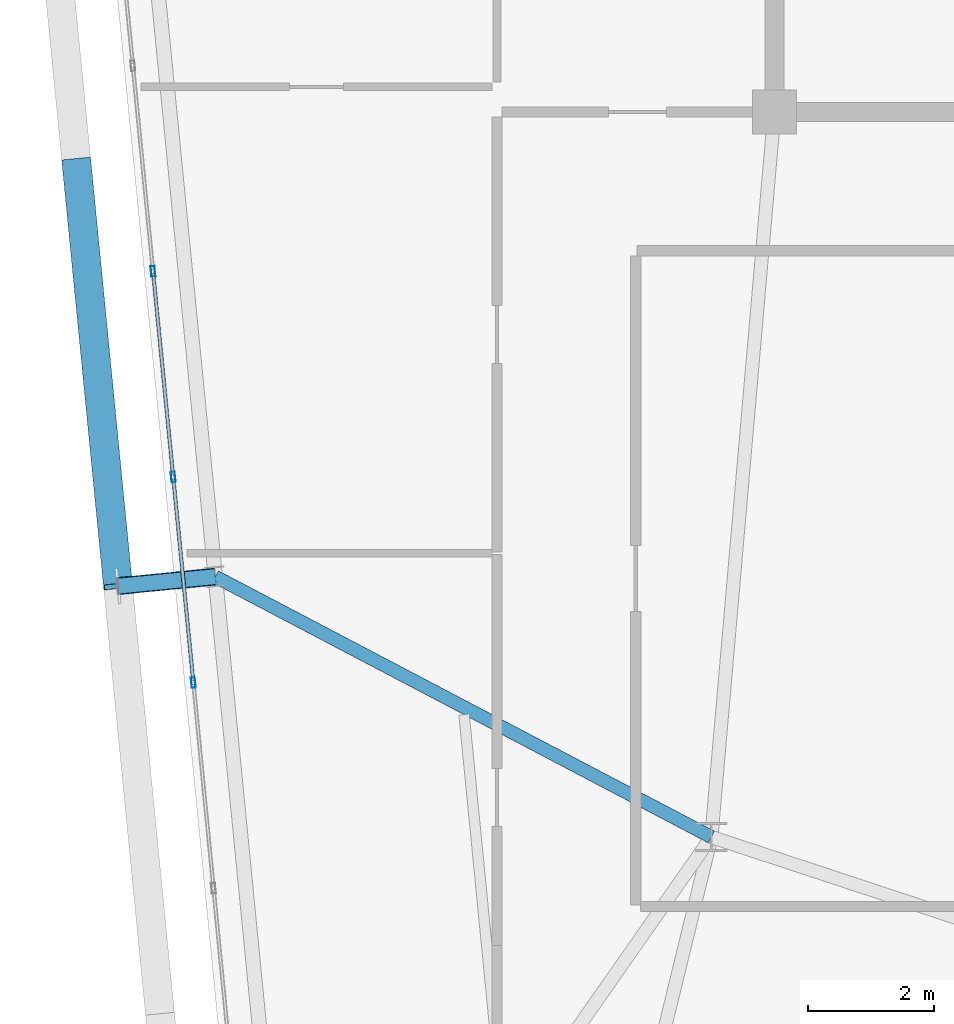
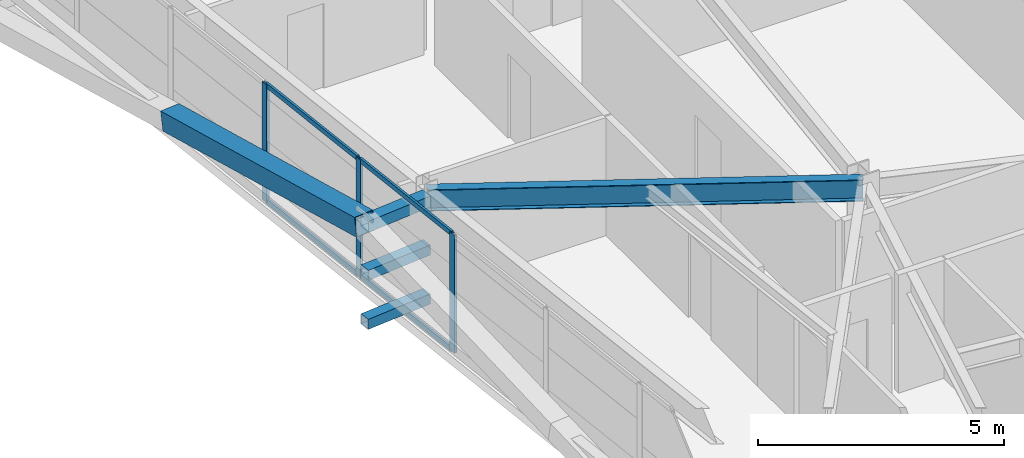
# One storey, part 13 of 52: 11 members, 1 beam, 1 element without a shape of its own.
"""IFC4 building model written with IfcOpenShell, lengths in metres."""

from ifc_helpers import new_model, si_unit, direction, frame, origin, origin_2d, place, context, subcontext, project, spatial, hollow_rectangle, i_section, extrude, source, transform, mapped, material, layer, layer_set, material_profile, profile_set, type_object, element, aggregate, save


model = new_model("IFC4")

# Units and contexts
model_context = context("Model", 3, precision=1e-05, world=origin(), true_north=direction((0.0, 1.0)))
body_context = subcontext(model_context, "Body", "Model", "MODEL_VIEW")
ifc_project = project(units=[si_unit("LENGTHUNIT", "METRE"), si_unit("AREAUNIT", "SQUARE_METRE"), si_unit("VOLUMEUNIT", "CUBIC_METRE"), si_unit("PLANEANGLEUNIT", "RADIAN"), si_unit("MASSUNIT", "GRAM", prefix="KILO")], contexts=[model_context])

# Site, building, storey
site_placement = place(None, origin())
site = spatial("IfcSite", under=ifc_project, at=site_placement, CompositionType="ELEMENT")
building_placement = place(site_placement, origin())
building = spatial("IfcBuilding", under=site, at=building_placement, Name="Taldren Reach Tower", CompositionType="ELEMENT")
storey_placement = place(building_placement, frame((0.0, 0.0, 93.449951171875)))
storey = spatial("IfcBuildingStorey", under=building, at=storey_placement, Name="L28", CompositionType="ELEMENT", Elevation=93.449951171875)

# Beam
ifc_material_1 = material(Name="Steel Gr 350 (350PLUS)", Category="steel")
ifc_material_profile_1 = material_profile(ifc_material_1, i_section(OverallWidth=0.208984375, OverallDepth=0.532958984375, WebThickness=0.01025390625, FlangeThickness=0.015625, at=origin_2d()), Name="530UB92.4")
ifc_profile_set_1 = profile_set([ifc_material_profile_1], Name="Steel Gr 350 (350PLUS)")
beam_type = type_object("IfcBeamType", Name="BM-UB530A", PredefinedType="BEAM", material=ifc_profile_set_1)
shared_shape_1 = source(origin(), body_context, "Body", "SweptSolid", [
    extrude(i_section(OverallWidth=0.208984375, OverallDepth=0.532958984375, WebThickness=0.01025390625, FlangeThickness=0.015625, at=origin_2d()), origin(), (0.0, 0.0, 1.0), 8.8876953125),
])
beam_placement = place(storey_placement, frame((18.0, 12.5, 2.66357421875), z_axis=(-0.885412881876, 0.464805366371, 0.0), x_axis=(-0.464805366371, -0.885412881876, 0.0)))
element("IfcBeam", 1, at=beam_placement, inside=storey, type_object=beam_type, Name="Primary floor girder B2-W2 L28", PredefinedType="BEAM", context=body_context, shape_type="MappedRepresentation", body=[
    mapped(shared_shape_1, transform((0.0, 0.0, 0.0), scale=1.0)),
])

# Members
ifc_material_2 = material(Name="Steel Gr 450 (C450L0)", Category="steel")
ifc_material_profile_2 = material_profile(ifc_material_2, hollow_rectangle(XDim=0.27490234375, YDim=0.27490234375, WallThickness=0.00927734375, at=origin_2d()), Name="275x275x9.3SHS")
ifc_profile_set_2 = profile_set([ifc_material_profile_2], Name="Steel Gr 450 (C450L0)")
member_type_1 = type_object("IfcMemberType", Name="MB-TIE273", PredefinedType="STRUT", material=ifc_profile_set_2)
shared_shape_2 = source(origin(), body_context, "Body", "SweptSolid", [
    extrude(hollow_rectangle(XDim=0.27490234375, YDim=0.27490234375, WallThickness=0.00927734375, at=origin_2d()), origin(), (0.0, 0.0, 1.0), 1.550048828125),
])
member_1_placement = place(storey_placement, frame((10.130615234375, 16.631103515625, 2.650146484375), z_axis=(-0.9952210252, -0.097647892962, 0.0), x_axis=(0.097647892962, -0.9952210252, 0.0)))
element("IfcMember", 2, at=member_1_placement, inside=storey, type_object=member_type_1, Name="Exoskeleton diaphragm tie strut B2-W2 L28", PredefinedType="STRUT", context=body_context, shape_type="MappedRepresentation", body=[
    mapped(shared_shape_2, transform((0.0, 0.0, 0.0), scale=1.0)),
])
ifc_material_3 = material(Name="Steel Gr 350 (C350L0)", Category="steel")
ifc_material_profile_3 = material_profile(ifc_material_3, hollow_rectangle(XDim=0.25, YDim=0.25, WallThickness=0.010009765625, at=origin_2d()), Name="250x250x10.0SHS")
ifc_profile_set_3 = profile_set([ifc_material_profile_3], Name="Steel Gr 350 (C350L0)")
member_type_2 = type_object("IfcMemberType", Name="MB-POST250", PredefinedType="POST", material=ifc_profile_set_3)
shared_shape_3 = source(origin(), body_context, "Body", "SweptSolid", [
    extrude(hollow_rectangle(XDim=0.25, YDim=0.25, WallThickness=0.010009765625, at=origin_2d()), origin(), (0.0, 0.0, 1.0), 1.550048828125),
])
for number, where, z_axis, x_axis, name in (
    (3, (10.130615234375, 16.631103515625, 0.219970703125), (-0.9952210252, -0.097647892962, 0.0), (0.097647892962, -0.9952210252, 0.0), "Exoskeleton base diaphragm tie strut B2-W2 L28"),
    (4, (10.130615234375, 16.631103515625, 1.43505859375), (-0.9952210252, -0.097647892962, 0.0), (0.097647892962, -0.9952210252, 0.0), "Exoskeleton mid-tier diaphragm tie B2-W2 L28"),
):
    element("IfcMember", number, at=place(storey_placement, frame(where, z_axis=z_axis, x_axis=x_axis)), inside=storey, type_object=member_type_2, Name=name, PredefinedType="POST", context=body_context, shape_type="MappedRepresentation", body=[
        mapped(shared_shape_3, transform((0.0, 0.0, 0.0), scale=1.0)),
    ])
ifc_material_profile_4 = material_profile(ifc_material_2, hollow_rectangle(XDim=0.4599609375, YDim=0.4599609375, WallThickness=0.01611328125, at=origin_2d()), Name="460x460x16.0SHS")
ifc_profile_set_4 = profile_set([ifc_material_profile_4], Name="Steel Gr 450 (C450L0)")
member_type_3 = type_object("IfcMemberType", Name="MB-EXO457", PredefinedType="BRACE", material=ifc_profile_set_4)
shared_shape_4 = source(origin(), body_context, "Body", "SweptSolid", [
    extrude(hollow_rectangle(XDim=0.4599609375, YDim=0.4599609375, WallThickness=0.01611328125, at=origin_2d()), origin(), (0.0, 0.0, 1.0), 6.883056640625),
])
member_2_placement = place(storey_placement, frame((7.9267578125, 23.222412109375, 1.43505859375), z_axis=(0.09605145821, -0.97959718347, 0.176531797456), x_axis=(0.995227290009, 0.097584021339, 0.0)))
element("IfcMember", 5, at=member_2_placement, inside=storey, type_object=member_type_3, Name="Exoskeleton Diagrid Brace B2-W2 L28", PredefinedType="BRACE", context=body_context, shape_type="MappedRepresentation", body=[
    mapped(shared_shape_4, transform((0.0, 0.0, 0.0), scale=1.0)),
])

# Curtain wall, members
ifc_material_4 = material(Name="Aluminium and Low-E Glass Unitised System", Category="aluminium")
ifc_layer = layer(ifc_material_4, 0.159912109375)
ifc_layer_set = layer_set([ifc_layer], Name="Aluminium and Low-E Glass Unitised System")
curtain_wall_type = type_object("IfcCurtainWallType", Name="CW-SYS-3", PredefinedType="NOTDEFINED", material=ifc_layer_set)
curtain_wall_placement = place(storey_placement, origin())
curtain_wall = element("IfcCurtainWall", 6, at=curtain_wall_placement, inside=storey, type_object=curtain_wall_type, Name="Unitised curtain wall CW-L28-W", PredefinedType="NOTDEFINED")
ifc_material_5 = material(Name="Anodised Aluminium 6063-T6", Category="aluminium")
ifc_material_profile_5 = material_profile(ifc_material_5, hollow_rectangle(XDim=0.06494140625, YDim=0.1650390625, WallThickness=0.00390625, at=origin_2d()), Name="ALU-165x65x4RHS")
ifc_profile_set_5 = profile_set([ifc_material_profile_5], Name="Anodised Aluminium 6063-T6")
member_type_4 = type_object("IfcMemberType", Name="CW-MUL-165", PredefinedType="MULLION", material=ifc_profile_set_5)
shared_shape_5 = source(origin(), body_context, "Body", "SweptSolid", [
    extrude(hollow_rectangle(XDim=0.06494140625, YDim=0.1650390625, WallThickness=0.00390625, at=origin_2d()), origin(), (0.0, 0.0, 1.0), 2.929931640625),
])
member_3_placement = place(storey_placement, frame((9.14306640625, 21.474609375, 0.0), z_axis=(0.0, 0.0, 1.0), x_axis=(0.99522741555, 0.09758274098, 0.0)))
member_3 = element("IfcMember", 7, at=member_3_placement, type_object=member_type_4, Name="CW-3 mullion 4", PredefinedType="MULLION", context=body_context, shape_type="MappedRepresentation", body=[
    mapped(shared_shape_5, transform((0.0, 0.0, 0.0), scale=1.0)),
])
member_4_placement = place(storey_placement, frame((9.463134765625, 18.21240234375, 0.0), z_axis=(0.0, 0.0, 1.0), x_axis=(0.99522741555, 0.09758274098, 0.0)))
member_4 = element("IfcMember", 8, at=member_4_placement, type_object=member_type_4, Name="CW-3 mullion 5", PredefinedType="MULLION", context=body_context, shape_type="MappedRepresentation", body=[
    mapped(shared_shape_5, transform((0.0, 0.0, 0.0), scale=1.0)),
])
member_5_placement = place(storey_placement, frame((9.782958984375, 14.9501953125, 0.0), z_axis=(0.0, 0.0, 1.0), x_axis=(0.99522741555, 0.09758274098, 0.0)))
member_5 = element("IfcMember", 9, at=member_5_placement, type_object=member_type_4, Name="CW-3 mullion 6", PredefinedType="MULLION", context=body_context, shape_type="MappedRepresentation", body=[
    mapped(shared_shape_5, transform((0.0, 0.0, 0.0), scale=1.0)),
])
ifc_material_profile_6 = material_profile(ifc_material_5, hollow_rectangle(XDim=0.054931640625, YDim=0.1201171875, WallThickness=0.0029296875, at=origin_2d()), Name="ALU-120x55x3RHS")
ifc_profile_set_6 = profile_set([ifc_material_profile_6], Name="Anodised Aluminium 6063-T6")
member_type_5 = type_object("IfcMemberType", Name="CW-TRN-135", PredefinedType="USERDEFINED", material=ifc_profile_set_6)
shared_shape_6 = source(origin(), body_context, "Body", "SweptSolid", [
    extrude(hollow_rectangle(XDim=0.054931640625, YDim=0.1201171875, WallThickness=0.0029296875, at=origin_2d()), origin(), (0.0, 0.0, 1.0), 3.212890625),
])
member_6_placement = place(storey_placement, frame((9.46630859375, 18.18017578125, 0.027587890625), z_axis=(0.097569948235, -0.995228669805, 0.0), x_axis=(0.995228669805, 0.097569948235, 0.0)))
member_6 = element("IfcMember", 10, at=member_6_placement, type_object=member_type_5, Name="CW-3 transom 5.1", ObjectType="TRANSOM", PredefinedType="USERDEFINED", context=body_context, shape_type="MappedRepresentation", body=[
    mapped(shared_shape_6, transform((0.0, 0.0, 0.0), scale=1.0)),
])
member_7_placement = place(storey_placement, frame((9.46630859375, 18.18017578125, 2.902587890625), z_axis=(0.097569948235, -0.995228669805, 0.0), x_axis=(0.995228669805, 0.097569948235, 0.0)))
member_7 = element("IfcMember", 11, at=member_7_placement, type_object=member_type_5, Name="CW-3 transom 5.2", ObjectType="TRANSOM", PredefinedType="USERDEFINED", context=body_context, shape_type="MappedRepresentation", body=[
    mapped(shared_shape_6, transform((0.0, 0.0, 0.0), scale=1.0)),
])
shared_shape_7 = source(origin(), body_context, "Body", "SweptSolid", [
    extrude(hollow_rectangle(XDim=0.054931640625, YDim=0.1201171875, WallThickness=0.0029296875, at=origin_2d()), origin(), (0.0, 0.0, 1.0), 3.212646484375),
])
member_8_placement = place(storey_placement, frame((9.146240234375, 21.442138671875, 0.027587890625), z_axis=(0.097652598057, -0.99522056354, 0.0), x_axis=(0.99522056354, 0.097652598057, 0.0)))
member_8 = element("IfcMember", 12, at=member_8_placement, type_object=member_type_5, Name="CW-3 transom 4.1", ObjectType="TRANSOM", PredefinedType="USERDEFINED", context=body_context, shape_type="MappedRepresentation", body=[
    mapped(shared_shape_7, transform((0.0, 0.0, 0.0), scale=1.0)),
])
member_9_placement = place(storey_placement, frame((9.146240234375, 21.442138671875, 2.902587890625), z_axis=(0.097652598057, -0.99522056354, 0.0), x_axis=(0.99522056354, 0.097652598057, 0.0)))
member_9 = element("IfcMember", 13, at=member_9_placement, type_object=member_type_5, Name="CW-3 transom 4.2", ObjectType="TRANSOM", PredefinedType="USERDEFINED", context=body_context, shape_type="MappedRepresentation", body=[
    mapped(shared_shape_7, transform((0.0, 0.0, 0.0), scale=1.0)),
])
aggregate(curtain_wall, [member_3, member_4, member_5, member_8, member_9, member_6, member_7])

save(model, "model.ifc")
